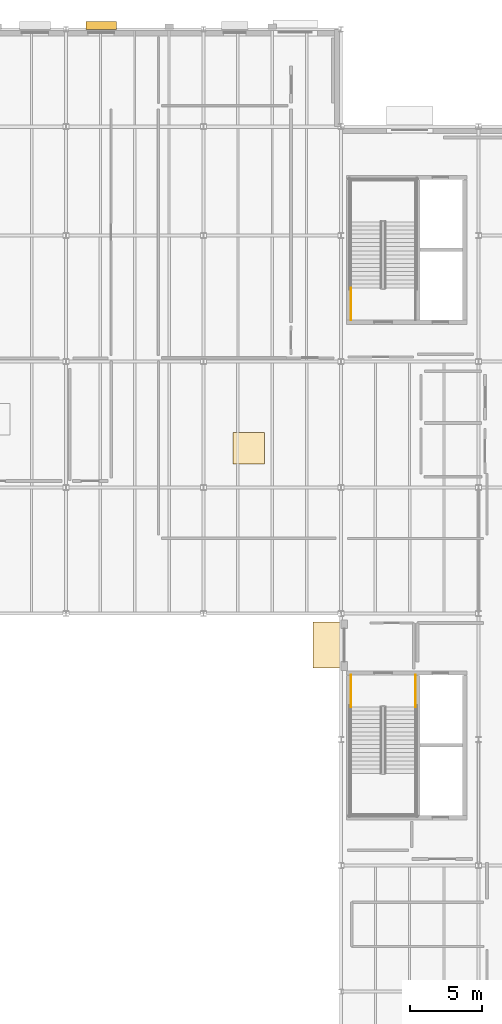
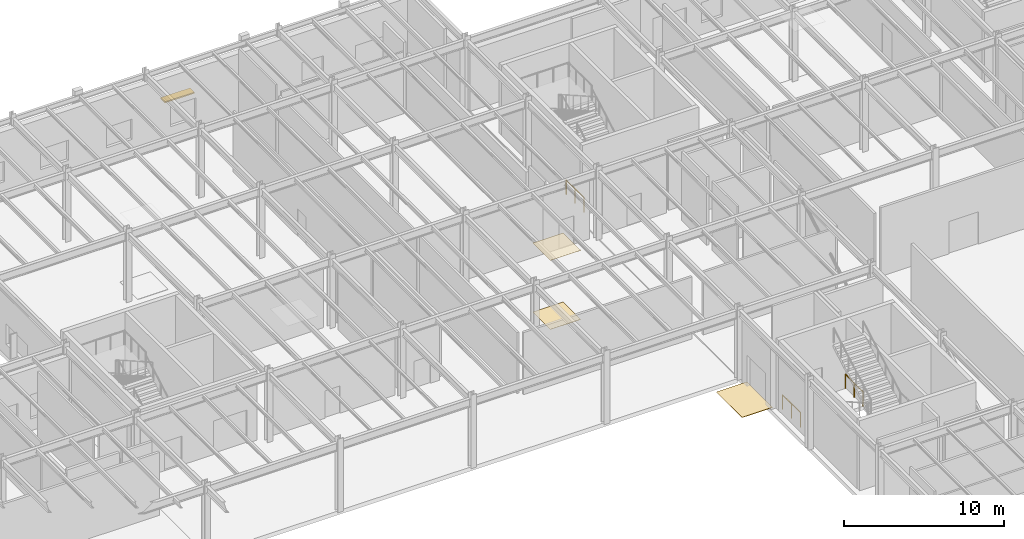
# One storey, part 64 of 70: 3 coverings, 3 railings, 1 shading device.
"""IFC4 building model written with IfcOpenShell, lengths in metres."""

from ifc_helpers import new_model, si_unit, direction, frame, origin, origin_2d, place, context, subcontext, project, spatial, rectangle, circle, extrude, material, layer, layer_set, type_object, element, save


model = new_model("IFC4")

# Units and contexts
model_context = context("Model", 3, precision=1e-05, world=origin(), true_north=direction((0.0, 1.0)))
body_context = subcontext(model_context, "Body", "Model", "MODEL_VIEW")
ifc_project = project(units=[si_unit("LENGTHUNIT", "METRE"), si_unit("AREAUNIT", "SQUARE_METRE"), si_unit("VOLUMEUNIT", "CUBIC_METRE"), si_unit("PLANEANGLEUNIT", "RADIAN"), si_unit("MASSUNIT", "GRAM", prefix="KILO")], contexts=[model_context])

# Site, building, storey
site_placement = place(None, origin())
site = spatial("IfcSite", under=ifc_project, at=site_placement, CompositionType="ELEMENT")
building_placement = place(site_placement, origin())
building = spatial("IfcBuilding", under=site, at=building_placement, Name="Sarnbrook Museum", CompositionType="ELEMENT")
storey_placement = place(building_placement, origin())
storey = spatial("IfcBuildingStorey", under=building, at=storey_placement, Name="L00", CompositionType="ELEMENT", Elevation=0.0)

# Shading device
ifc_material_1 = material(Name="Patinated Architectural Bronze")
shading_device_type = type_object("IfcShadingDeviceType", Name="BriseSoleil_Horizontal", PredefinedType="SHUTTER", material=ifc_material_1)
shading_device_placement = place(storey_placement, frame((64.053955078125, 115.469970703125, 2.46484375), z_axis=(0.0, 0.0, 1.0), x_axis=(1.0, 0.0, 0.0)))
element("IfcShadingDevice", 1, at=shading_device_placement, inside=storey, type_object=shading_device_type, Name="Horizontal Bronze Brise-Soleil BS-003", PredefinedType="SHUTTER", context=body_context, shape_type="SweptSolid", body=[
    extrude(rectangle(XDim=2.1201171875, YDim=0.550048828125, at=origin_2d()), origin(), (0.0, 0.0, 1.0), 0.090087890625),
])

# Coverings
ifc_material_2 = material(Name="Fire-Rated Acoustic Gypsum Plasterboard")
ifc_layer_1 = layer(ifc_material_2, 0.01806640625)
ifc_layer_set_1 = layer_set([ifc_layer_1], Name="Fire-Rated Acoustic Gypsum Plasterboard")
covering_type_1 = type_object("IfcCoveringType", Name="Ceil_Acoustic18", PredefinedType="CEILING", material=ifc_layer_set_1)
covering_1_placement = place(storey_placement, frame((74.360107421875, 85.955078125, 5.261962890625), z_axis=(0.0, 0.0, 1.0), x_axis=(1.0, 0.0, 0.0)))
element("IfcCovering", 2, at=covering_1_placement, inside=storey, type_object=covering_type_1, Name="Acoustic Ceiling Baffle Panel L00-14", PredefinedType="CEILING", context=body_context, shape_type="SweptSolid", body=[
    extrude(rectangle(XDim=2.199951171875, YDim=2.199951171875, at=origin_2d()), origin(), (0.0, 0.0, 1.0), 0.01806640625),
])
ifc_material_3 = material(Name="Honed Bluestone and Marble Terrazzo Flooring", Category="masonry")
ifc_layer_2 = layer(ifc_material_3, 0.02001953125)
ifc_layer_set_2 = layer_set([ifc_layer_2], Name="Honed Bluestone and Marble Terrazzo Flooring")
covering_type_2 = type_object("IfcCoveringType", Name="Floor_Terrazzo20", PredefinedType="FLOORING", material=ifc_layer_set_2)
covering_2_placement = place(storey_placement, frame((74.360107421875, 85.955078125, 0.0), z_axis=(0.0, 0.0, 1.0), x_axis=(1.0, 0.0, 0.0)))
element("IfcCovering", 3, at=covering_2_placement, inside=storey, type_object=covering_type_2, Name="Gallery Floor Finish Panel L00-14", PredefinedType="FLOORING", context=body_context, shape_type="SweptSolid", body=[
    extrude(rectangle(XDim=2.199951171875, YDim=2.199951171875, at=origin_2d()), origin(), (0.0, 0.0, 1.0), 0.02001953125),
])

# Railings
ifc_material_4 = material(Name="Brushed Stainless Steel Grade 316", Category="steel")
ifc_layer_3 = layer(ifc_material_4, 0.050048828125)
ifc_layer_set_3 = layer_set([ifc_layer_3], Name="Brushed Stainless Steel Grade 316")
railing_type = type_object("IfcRailingType", Name="Guard_Int1120", PredefinedType="BALUSTRADE", material=ifc_layer_set_3)
for number, where, name in (
    (4, (81.489990234375, 70.10009765625, 0.0), "L00 ST3 stair guard 8"),
    (5, (86.010009765625, 70.10009765625, 0.0), "L00 ST3 stair guard 9"),
):
    element("IfcRailing", number, at=place(storey_placement, frame(where)), inside=storey, type_object=railing_type, Name=name, PredefinedType="BALUSTRADE", context=body_context, shape_type="SweptSolid", body=[
        extrude(circle(Radius=0.02392578125, at=origin_2d()), frame((0.0, 0.0, 1.09619140625), z_axis=(0.0, -1.0, 0.0), x_axis=(1.0, 0.0, 0.0)), (0.0, 0.0, 1.0), 2.22021484375),
        extrude(circle(Radius=0.02099609375, at=origin_2d()), origin(), (0.0, 0.0, 1.0), 1.072021484375),
        extrude(circle(Radius=0.02099609375, at=origin_2d()), frame((0.0, -1.110107421875, 0.0)), (0.0, 0.0, 1.0), 1.072021484375),
        extrude(circle(Radius=0.02099609375, at=origin_2d()), frame((0.0, -2.22021484375, 0.0)), (0.0, 0.0, 1.0), 1.072021484375),
    ])
railing_placement = place(storey_placement, frame((81.489990234375, 94.89990234375, 0.0)))
element("IfcRailing", 6, at=railing_placement, inside=storey, type_object=railing_type, Name="L00 ST4 stair guard 9", PredefinedType="BALUSTRADE", context=body_context, shape_type="SweptSolid", body=[
    extrude(circle(Radius=0.02392578125, at=origin_2d()), frame((0.0, 0.0, 1.09619140625), z_axis=(0.0, 1.0, 0.0), x_axis=(-1.0, 0.0, 0.0)), (0.0, 0.0, 1.0), 2.22021484375),
    extrude(circle(Radius=0.02099609375, at=origin_2d()), origin(), (0.0, 0.0, 1.0), 1.072021484375),
    extrude(circle(Radius=0.02099609375, at=origin_2d()), frame((0.0, 1.110107421875, 0.0)), (0.0, 0.0, 1.0), 1.072021484375),
    extrude(circle(Radius=0.02099609375, at=origin_2d()), frame((0.0, 2.22021484375, 0.0)), (0.0, 0.0, 1.0), 1.072021484375),
])

# Covering
ifc_material_5 = material(Name="Victorian Bluestone Ashlar Masonry", Category="masonry")
ifc_layer_4 = layer(ifc_material_5, 0.030029296875)
ifc_layer_set_4 = layer_set([ifc_layer_4], Name="Victorian Bluestone Ashlar Masonry")
covering_type_3 = type_object("IfcCoveringType", Name="Paving_BluestoneApron", PredefinedType="FLOORING", material=ifc_layer_set_4)
covering_3_placement = place(storey_placement, frame((79.949951171875, 72.199951171875, -0.02978515625), z_axis=(0.0, 0.0, 1.0), x_axis=(1.0, 0.0, 0.0)))
element("IfcCovering", 7, at=covering_3_placement, inside=storey, type_object=covering_type_3, Name="Exterior Bluestone Entry Paving 35", PredefinedType="FLOORING", context=body_context, shape_type="SweptSolid", body=[
    extrude(rectangle(XDim=2.199951171875, YDim=3.199951171875, at=origin_2d()), origin(), (0.0, 0.0, 1.0), 0.030029296875),
])

save(model, "model.ifc")
